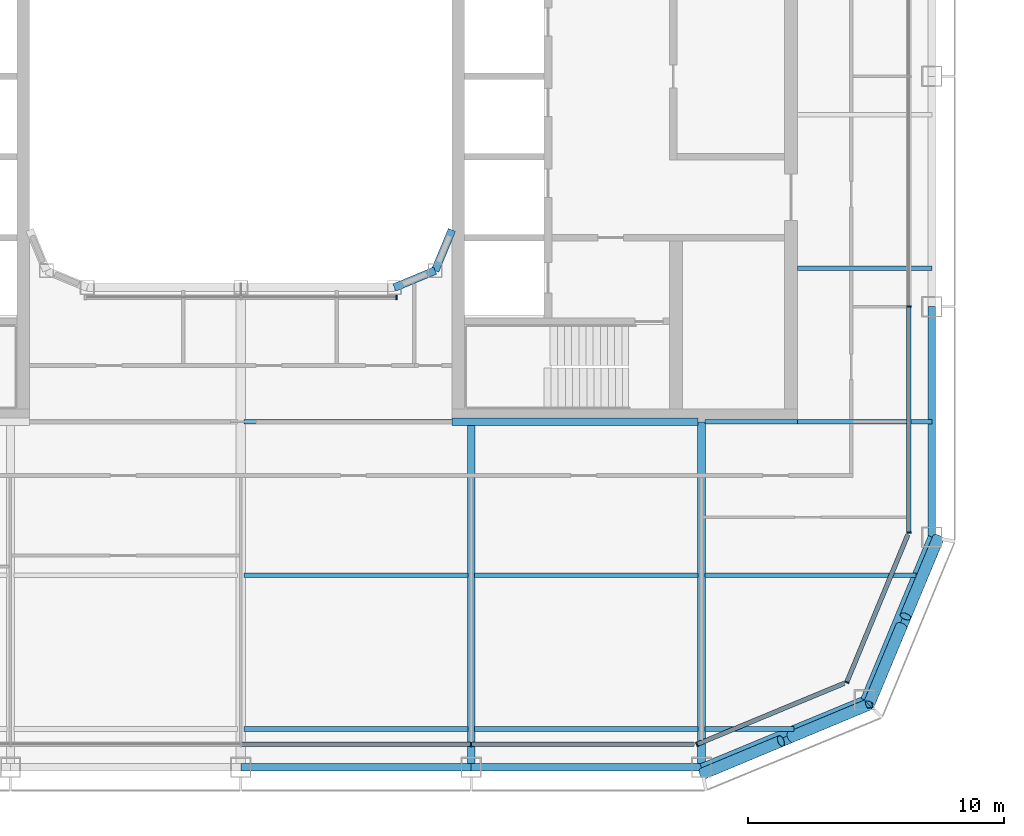
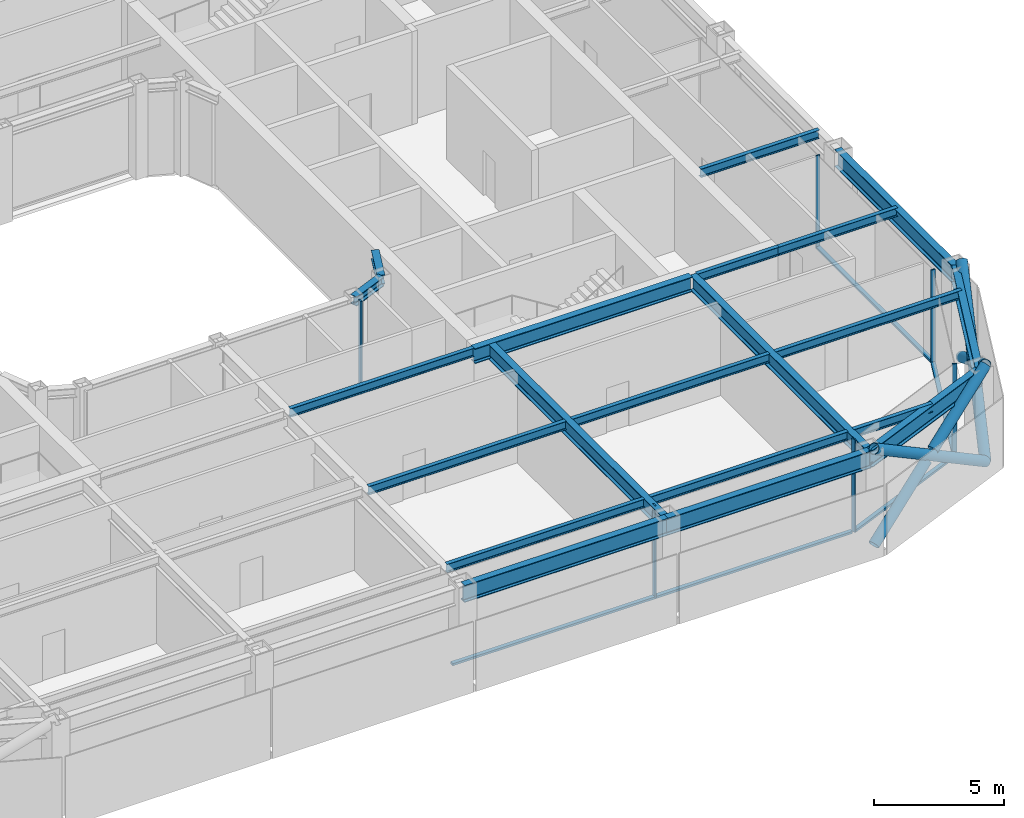
# One storey, part 4 of 23: 20 beams, 17 members, 5 elements without a shape of their own.
"""IFC4 building model written with IfcOpenShell, lengths in metres."""

from ifc_helpers import new_model, si_unit, direction, frame, origin, origin_2d, place, context, subcontext, project, spatial, rectangle, hollow_circle, i_section, extrude, material, layer, layer_set, material_profile, profile_set, type_object, element, aggregate, save


model = new_model("IFC4")

# Units and contexts
model_context = context("Model", 3, precision=1e-05, world=origin(), true_north=direction((0.0, 1.0)))
body_context = subcontext(model_context, "Body", "Model", "MODEL_VIEW")
ifc_project = project(units=[si_unit("LENGTHUNIT", "METRE"), si_unit("AREAUNIT", "SQUARE_METRE"), si_unit("VOLUMEUNIT", "CUBIC_METRE"), si_unit("PLANEANGLEUNIT", "RADIAN"), si_unit("MASSUNIT", "GRAM", prefix="KILO")], contexts=[model_context])

# Site, building, storey
site_placement = place(None, origin())
site = spatial("IfcSite", under=ifc_project, at=site_placement, CompositionType="ELEMENT")
building_placement = place(site_placement, origin())
building = spatial("IfcBuilding", under=site, at=building_placement, Name="Siwar Civic Tower", CompositionType="ELEMENT")
storey_placement = place(building_placement, frame((0.0, 0.0, 242.199951171875)))
storey = spatial("IfcBuildingStorey", under=building, at=storey_placement, Name="L52", CompositionType="ELEMENT", Elevation=242.199951171875)

# Curtain wall, member
ifc_material_1 = material(Name="Aluminium and glass", Category="aluminium")
ifc_layer_1 = layer(ifc_material_1, 0.179931640625)
ifc_layer_set_1 = layer_set([ifc_layer_1], Name="Aluminium and glass")
curtain_wall_type_1 = type_object("IfcCurtainWallType", Name="ENV-CW-C", PredefinedType="NOTDEFINED", material=ifc_layer_set_1)
curtain_wall_1_placement = place(storey_placement, origin())
curtain_wall_1 = element("IfcCurtainWall", 1, at=curtain_wall_1_placement, inside=storey, type_object=curtain_wall_type_1, Name="Curtain wall C S", PredefinedType="NOTDEFINED")
ifc_material_2 = material(Name="Aluminium 6063-T6", Category="aluminium")
ifc_material_profile_1 = material_profile(ifc_material_2, rectangle(XDim=0.179931640625, YDim=0.06005859375, at=origin_2d()), Name="AL 180x60")
ifc_profile_set_1 = profile_set([ifc_material_profile_1], Name="Aluminium 6063-T6")
member_type_1 = type_object("IfcMemberType", Name="ENV-MULLION-C", PredefinedType="MULLION", material=ifc_profile_set_1)
member_1_placement = place(storey_placement, frame((9.0, -26.10009765625, 0.0), z_axis=(0.0, 0.0, 1.0), x_axis=(0.0, 1.0, 0.0)))
member_1 = element("IfcMember", 2, at=member_1_placement, type_object=member_type_1, Name="Mullion C S 4", PredefinedType="MULLION", context=body_context, shape_type="SweptSolid", body=[
    extrude(rectangle(XDim=0.179931640625, YDim=0.06005859375, at=origin_2d()), origin(), (0.0, 0.0, 1.0), 4.35009765625),
])

ifc_material_3 = material(Name="Aluminium clad insulated panel", Category="aluminium")
ifc_layer_2 = layer(ifc_material_3, 0.179931640625)
ifc_layer_set_2 = layer_set([ifc_layer_2], Name="Aluminium clad insulated panel")
curtain_wall_type_2 = type_object("IfcCurtainWallType", Name="ENV-CW-CX", PredefinedType="NOTDEFINED", material=ifc_layer_set_2)
curtain_wall_2_placement = place(storey_placement, origin())
curtain_wall_2 = element("IfcCurtainWall", 3, at=curtain_wall_2_placement, inside=storey, type_object=curtain_wall_type_2, Name="Curtain wall C SE1", PredefinedType="NOTDEFINED")
member_2_placement = place(storey_placement, frame((17.821044921875, -26.10009765625, 0.0), z_axis=(0.0, 0.0, 1.0), x_axis=(-0.382683432365, 0.923879532511, 0.0)))
member_2 = element("IfcMember", 4, at=member_2_placement, type_object=member_type_1, Name="Mullion C SE1 1", PredefinedType="MULLION", context=body_context, shape_type="SweptSolid", body=[
    extrude(rectangle(XDim=0.179931640625, YDim=0.06005859375, at=origin_2d()), origin(), (0.0, 0.0, 1.0), 4.35009765625),
])

curtain_wall_3_placement = place(storey_placement, origin())
curtain_wall_3 = element("IfcCurtainWall", 5, at=curtain_wall_3_placement, inside=storey, type_object=curtain_wall_type_2, Name="Curtain wall C SE2", PredefinedType="NOTDEFINED")
member_3_placement = place(storey_placement, frame((23.675048828125, -23.675048828125, 0.0), z_axis=(0.0, 0.0, 1.0), x_axis=(-0.923879532511, 0.382683432365, 0.0)))
member_3 = element("IfcMember", 6, at=member_3_placement, type_object=member_type_1, Name="Mullion C SE2 1", PredefinedType="MULLION", context=body_context, shape_type="SweptSolid", body=[
    extrude(rectangle(XDim=0.179931640625, YDim=0.06005859375, at=origin_2d()), origin(), (0.0, 0.0, 1.0), 4.35009765625),
])

# Curtain wall, members
curtain_wall_4_placement = place(storey_placement, origin())
curtain_wall_4 = element("IfcCurtainWall", 7, at=curtain_wall_4_placement, inside=storey, type_object=curtain_wall_type_1, Name="Curtain wall C E", PredefinedType="NOTDEFINED")
member_4_placement = place(storey_placement, frame((26.10009765625, -17.821044921875, 0.0), z_axis=(0.0, 0.0, 1.0), x_axis=(-1.0, 0.0, 0.0)))
member_4 = element("IfcMember", 8, at=member_4_placement, type_object=member_type_1, Name="Mullion C E 1", PredefinedType="MULLION", context=body_context, shape_type="SweptSolid", body=[
    extrude(rectangle(XDim=0.179931640625, YDim=0.06005859375, at=origin_2d()), origin(), (0.0, 0.0, 1.0), 4.35009765625),
])
member_5_placement = place(storey_placement, frame((26.10009765625, -9.0, 0.0), z_axis=(0.0, 0.0, 1.0), x_axis=(-1.0, 0.0, 0.0)))
member_5 = element("IfcMember", 9, at=member_5_placement, type_object=member_type_1, Name="Mullion C E 2", PredefinedType="MULLION", context=body_context, shape_type="SweptSolid", body=[
    extrude(rectangle(XDim=0.179931640625, YDim=0.06005859375, at=origin_2d()), origin(), (0.0, 0.0, 1.0), 4.35009765625),
])

# Curtain wall, member
ifc_material_4 = material(Name="Aluminium and glass", Category="aluminium")
ifc_layer_3 = layer(ifc_material_4, 0.179931640625)
ifc_layer_set_3 = layer_set([ifc_layer_3], Name="Aluminium and glass")
curtain_wall_type_3 = type_object("IfcCurtainWallType", Name="ENV-CW-W", PredefinedType="NOTDEFINED", material=ifc_layer_set_3)
curtain_wall_5_placement = place(storey_placement, origin())
curtain_wall_5 = element("IfcCurtainWall", 10, at=curtain_wall_5_placement, inside=storey, type_object=curtain_wall_type_3, Name="Curtain wall W WS", PredefinedType="NOTDEFINED")
ifc_material_5 = material(Name="Aluminium 6063-T6", Category="aluminium")
ifc_material_profile_2 = material_profile(ifc_material_5, rectangle(XDim=0.179931640625, YDim=0.06005859375, at=origin_2d()), Name="AL 180x60")
ifc_profile_set_2 = profile_set([ifc_material_profile_2], Name="Aluminium 6063-T6")
member_type_2 = type_object("IfcMemberType", Name="ENV-MULLION-W", PredefinedType="MULLION", material=ifc_profile_set_2)
member_6_placement = place(storey_placement, frame((6.07666015625, -8.635009765625, 0.0), z_axis=(0.0, 0.0, 1.0), x_axis=(0.0, 1.0, 0.0)))
member_6 = element("IfcMember", 11, at=member_6_placement, type_object=member_type_2, Name="Mullion W WS 3", PredefinedType="MULLION", context=body_context, shape_type="SweptSolid", body=[
    extrude(rectangle(XDim=0.179931640625, YDim=0.06005859375, at=origin_2d()), origin(), (0.0, 0.0, 1.0), 4.35009765625),
])
aggregate(curtain_wall_5, [member_6])

# Member
ifc_material_6 = material(Name="Aluminium 6063-T6", Category="aluminium")
ifc_material_profile_3 = material_profile(ifc_material_6, rectangle(XDim=0.179931640625, YDim=0.10009765625, at=origin_2d()), Name="AL 180x100")
ifc_profile_set_3 = profile_set([ifc_material_profile_3], Name="Aluminium 6063-T6")
member_type_3 = type_object("IfcMemberType", Name="ENV-TRANSOM-C", PredefinedType="USERDEFINED", material=ifc_profile_set_3)
member_7_placement = place(storey_placement, frame((0.030029296875, -26.10009765625, 0.050048828125), z_axis=(1.0, 0.0, 0.0), x_axis=(0.0, 1.0, 0.0)))
member_7 = element("IfcMember", 12, at=member_7_placement, type_object=member_type_3, Name="Transom C S 3", ObjectType="TRANSOM", PredefinedType="USERDEFINED", context=body_context, shape_type="SweptSolid", body=[
    extrude(rectangle(XDim=0.179931640625, YDim=0.10009765625, at=origin_2d()), origin(), (0.0, 0.0, 1.0), 8.93994140625),
])

member_8_placement = place(storey_placement, frame((9.030029296875, -26.10009765625, 0.050048828125), z_axis=(1.0, 0.0, 0.0), x_axis=(0.0, 1.0, 0.0)))
member_8 = element("IfcMember", 13, at=member_8_placement, type_object=member_type_3, Name="Transom C S 4", ObjectType="TRANSOM", PredefinedType="USERDEFINED", context=body_context, shape_type="SweptSolid", body=[
    extrude(rectangle(XDim=0.179931640625, YDim=0.10009765625, at=origin_2d()), origin(), (0.0, 0.0, 1.0), 8.68603515625),
])

aggregate(curtain_wall_1, [member_1, member_7, member_8])

member_9_placement = place(storey_placement, frame((17.8486328125, -26.088623046875, 0.050048828125), z_axis=(0.923882011223, 0.38267744817, 0.0), x_axis=(-0.38267744817, 0.923882011223, 0.0)))
member_9 = element("IfcMember", 14, at=member_9_placement, type_object=member_type_3, Name="Transom C SE1 1", ObjectType="TRANSOM", PredefinedType="USERDEFINED", context=body_context, shape_type="SweptSolid", body=[
    extrude(rectangle(XDim=0.179931640625, YDim=0.10009765625, at=origin_2d()), origin(), (0.0, 0.0, 1.0), 6.201904296875),
])

aggregate(curtain_wall_2, [member_2, member_9])

member_10_placement = place(storey_placement, frame((23.6865234375, -23.6474609375, 0.050048828125), z_axis=(0.382691366456, 0.923876246063, 0.0), x_axis=(-0.923876246063, 0.382691366456, 0.0)))
member_10 = element("IfcMember", 15, at=member_10_placement, type_object=member_type_3, Name="Transom C SE2 1", ObjectType="TRANSOM", PredefinedType="USERDEFINED", context=body_context, shape_type="SweptSolid", body=[
    extrude(rectangle(XDim=0.179931640625, YDim=0.10009765625, at=origin_2d()), origin(), (0.0, 0.0, 1.0), 6.20166015625),
])

aggregate(curtain_wall_3, [member_3, member_10])

member_11_placement = place(storey_placement, frame((26.10009765625, -17.791015625, 0.050048828125), z_axis=(0.0, 1.0, 0.0), x_axis=(-1.0, 0.0, 0.0)))
member_11 = element("IfcMember", 16, at=member_11_placement, type_object=member_type_3, Name="Transom C E 1", ObjectType="TRANSOM", PredefinedType="USERDEFINED", context=body_context, shape_type="SweptSolid", body=[
    extrude(rectangle(XDim=0.179931640625, YDim=0.10009765625, at=origin_2d()), origin(), (0.0, 0.0, 1.0), 8.760986328125),
])

aggregate(curtain_wall_4, [member_4, member_5, member_11])

# Members
ifc_material_7 = material(Name="Steel S355", Category="steel")
ifc_material_profile_4 = material_profile(ifc_material_7, hollow_circle(Radius=0.228515625, WallThickness=0.02001953125, at=origin_2d()), Name="CHS457x20")
ifc_profile_set_4 = profile_set([ifc_material_profile_4], Name="Steel S355")
member_type_4 = type_object("IfcMemberType", Name="STR-BR-CHS457x20", PredefinedType="BRACE", material=ifc_profile_set_4)
member_12_placement = place(storey_placement, frame((24.540771484375, -24.540771484375, 0.0), z_axis=(0.323905527954, 0.777554562952, 0.538975055633), x_axis=(-0.923108759191, 0.384538969033, 0.0)))
element("IfcMember", 17, at=member_12_placement, inside=storey, type_object=member_type_4, Name="L52/brc/CSE1-12-0-1", PredefinedType="BRACE", context=body_context, shape_type="SweptSolid", body=[
    extrude(hollow_circle(Radius=0.228515625, WallThickness=0.02001953125, at=origin_2d()), origin(), (0.0, 0.0, 1.0), 8.34912109375),
])
for number, where, z_axis, x_axis, name in (
    (18, (27.2451171875, -18.048828125, 0.0), (-0.323884455881, -0.777546448489, 0.538999424564), (0.92311621485, -0.38452107079, 0.0), "L52/brc/CSE1-12-0-2"),
    (19, (25.81298828125, -21.486572265625, 2.383056640625), (-0.323895306243, -0.777572496853, 0.538955325357), (0.92311621485, -0.38452107079, 0.0), "L52/brc/CSE1-12-0-3"),
):
    element("IfcMember", number, at=place(storey_placement, frame(where, z_axis=z_axis, x_axis=x_axis)), inside=storey, type_object=member_type_4, Name=name, PredefinedType="BRACE", context=body_context, shape_type="SweptSolid", body=[
        extrude(hollow_circle(Radius=0.228515625, WallThickness=0.02001953125, at=origin_2d()), origin(), (0.0, 0.0, 1.0), 3.927978515625),
    ])
member_13_placement = place(storey_placement, frame((24.540771484375, -24.540771484375, 0.0), z_axis=(-0.777554562952, -0.323905527954, 0.538975055633), x_axis=(0.384538969033, -0.923108759191, 0.0)))
element("IfcMember", 20, at=member_13_placement, inside=storey, type_object=member_type_4, Name="L52/brc/CSE1-12-0-0", PredefinedType="BRACE", context=body_context, shape_type="SweptSolid", body=[
    extrude(hollow_circle(Radius=0.228515625, WallThickness=0.02001953125, at=origin_2d()), origin(), (0.0, 0.0, 1.0), 8.34912109375),
])
for number, where, z_axis, x_axis, name in (
    (21, (18.048828125, -27.2451171875, 0.0), (0.777546448489, 0.323884455881, 0.538999424564), (-0.38452107079, 0.92311621485, 0.0), "L52/brc/CSE1-12-0-4"),
    (22, (21.486572265625, -25.81298828125, 2.383056640625), (0.777572496853, 0.323895306243, 0.538955325357), (-0.38452107079, 0.92311621485, 0.0), "L52/brc/CSE1-12-0-5"),
):
    element("IfcMember", number, at=place(storey_placement, frame(where, z_axis=z_axis, x_axis=x_axis)), inside=storey, type_object=member_type_4, Name=name, PredefinedType="BRACE", context=body_context, shape_type="SweptSolid", body=[
        extrude(hollow_circle(Radius=0.228515625, WallThickness=0.02001953125, at=origin_2d()), origin(), (0.0, 0.0, 1.0), 3.927978515625),
    ])

# Beams
ifc_material_8 = material(Name="Steel S355", Category="steel")
ifc_material_profile_5 = material_profile(ifc_material_8, i_section(OverallWidth=0.179931640625, OverallDepth=0.39990234375, WebThickness=0.008544921875, FlangeThickness=0.013427734375, FilletRadius=0.02099609375, at=origin_2d()), Name="IPE400")
ifc_profile_set_5 = profile_set([ifc_material_profile_5], Name="Steel S355")
beam_type_1 = type_object("IfcBeamType", Name="STR-FB-IPE400", PredefinedType="JOIST", material=ifc_profile_set_5)
for number, where, z_axis, x_axis, name in (
    (23, (0.1298828125, -25.5, 4.150146484375), (1.0, 0.0, 0.0), (0.0, 1.0, 0.0), "L52/bm/F004"),
    (24, (9.1298828125, -25.5, 4.150146484375), (1.0, 0.0, 0.0), (0.0, 1.0, 0.0), "L52/bm/F005"),
):
    element("IfcBeam", number, at=place(storey_placement, frame(where, z_axis=z_axis, x_axis=x_axis)), inside=storey, type_object=beam_type_1, Name=name, PredefinedType="JOIST", context=body_context, shape_type="SweptSolid", body=[
        extrude(i_section(OverallWidth=0.179931640625, OverallDepth=0.39990234375, WebThickness=0.008544921875, FlangeThickness=0.013427734375, FilletRadius=0.02099609375, at=origin_2d()), origin(), (0.0, 0.0, 1.0), 8.740234375),
    ])
beam_1_placement = place(storey_placement, frame((18.1298828125, -25.5, 4.150146484375), z_axis=(1.0, 0.0, 0.0), x_axis=(0.0, 1.0, 0.0)))
element("IfcBeam", 25, at=beam_1_placement, inside=storey, type_object=beam_type_1, Name="L52/bm/F006", PredefinedType="JOIST", context=body_context, shape_type="SweptSolid", body=[
    extrude(i_section(OverallWidth=0.179931640625, OverallDepth=0.39990234375, WebThickness=0.008544921875, FlangeThickness=0.013427734375, FilletRadius=0.02099609375, at=origin_2d()), origin(), (0.0, 0.0, 1.0), 3.491455078125),
])
for number, where, z_axis, x_axis, name in (
    (26, (0.1298828125, -19.5, 4.150146484375), (1.0, 0.0, 0.0), (0.0, 1.0, 0.0), "L52/bm/F010"),
    (27, (9.1298828125, -19.5, 4.150146484375), (1.0, 0.0, 0.0), (0.0, 1.0, 0.0), "L52/bm/F011"),
):
    element("IfcBeam", number, at=place(storey_placement, frame(where, z_axis=z_axis, x_axis=x_axis)), inside=storey, type_object=beam_type_1, Name=name, PredefinedType="JOIST", context=body_context, shape_type="SweptSolid", body=[
        extrude(i_section(OverallWidth=0.179931640625, OverallDepth=0.39990234375, WebThickness=0.008544921875, FlangeThickness=0.013427734375, FilletRadius=0.02099609375, at=origin_2d()), origin(), (0.0, 0.0, 1.0), 8.740234375),
    ])
beam_2_placement = place(storey_placement, frame((18.1298828125, -19.5, 4.150146484375), z_axis=(1.0, 0.0, 0.0), x_axis=(0.0, 1.0, 0.0)))
element("IfcBeam", 28, at=beam_2_placement, inside=storey, type_object=beam_type_1, Name="L52/bm/F012", PredefinedType="JOIST", context=body_context, shape_type="SweptSolid", body=[
    extrude(i_section(OverallWidth=0.179931640625, OverallDepth=0.39990234375, WebThickness=0.008544921875, FlangeThickness=0.013427734375, FilletRadius=0.02099609375, at=origin_2d()), origin(), (0.0, 0.0, 1.0), 8.248779296875),
])
beam_3_placement = place(storey_placement, frame((0.1298828125, -13.5, 4.150146484375), z_axis=(1.0, 0.0, 0.0), x_axis=(0.0, 1.0, 0.0)))
element("IfcBeam", 29, at=beam_3_placement, inside=storey, type_object=beam_type_1, Name="L52/bm/F017", PredefinedType="JOIST", context=body_context, shape_type="SweptSolid", body=[
    extrude(i_section(OverallWidth=0.179931640625, OverallDepth=0.39990234375, WebThickness=0.008544921875, FlangeThickness=0.013427734375, FilletRadius=0.02099609375, at=origin_2d()), origin(), (0.0, 0.0, 1.0), 8.1201171875),
])
beam_4_placement = place(storey_placement, frame((18.1298828125, -13.5, 4.150146484375), z_axis=(1.0, 0.0, 0.0), x_axis=(0.0, 1.0, 0.0)))
element("IfcBeam", 30, at=beam_4_placement, inside=storey, type_object=beam_type_1, Name="L52/bm/F019", PredefinedType="JOIST", context=body_context, shape_type="SweptSolid", body=[
    extrude(i_section(OverallWidth=0.179931640625, OverallDepth=0.39990234375, WebThickness=0.008544921875, FlangeThickness=0.013427734375, FilletRadius=0.02099609375, at=origin_2d()), origin(), (0.0, 0.0, 1.0), 3.6201171875),
])
for number, where, z_axis, x_axis, name in (
    (31, (21.75, -13.5, 4.150146484375), (1.0, 0.0, 0.0), (0.0, 1.0, 0.0), "L52/bm/F020"),
    (32, (21.75, -7.5, 4.150146484375), (1.0, 0.0, 0.0), (0.0, 1.0, 0.0), "L52/bm/F022"),
):
    element("IfcBeam", number, at=place(storey_placement, frame(where, z_axis=z_axis, x_axis=x_axis)), inside=storey, type_object=beam_type_1, Name=name, PredefinedType="JOIST", context=body_context, shape_type="SweptSolid", body=[
        extrude(i_section(OverallWidth=0.179931640625, OverallDepth=0.39990234375, WebThickness=0.008544921875, FlangeThickness=0.013427734375, FilletRadius=0.02099609375, at=origin_2d()), origin(), (0.0, 0.0, 1.0), 5.25),
    ])
ifc_material_9 = material(Name="Steel S355", Category="steel")
ifc_material_profile_6 = material_profile(ifc_material_9, i_section(OverallWidth=0.300048828125, OverallDepth=0.699951171875, WebThickness=0.01708984375, FlangeThickness=0.031982421875, FilletRadius=0.027099609375, at=origin_2d()), Name="HEB700")
ifc_profile_set_6 = profile_set([ifc_material_profile_6], Name="Steel S355")
beam_type_2 = type_object("IfcBeamType", Name="STR-PG-HEB700", PredefinedType="BEAM", material=ifc_profile_set_6)
for number, where, z_axis, x_axis, name in (
    (33, (9.0, -27.0, 4.0), (0.0, 1.0, 0.0), (-1.0, 0.0, 0.0), "L52/bm/G07"),
    (34, (18.0, -27.0, 4.0), (0.0, 1.0, 0.0), (-1.0, 0.0, 0.0), "L52/bm/G09"),
):
    element("IfcBeam", number, at=place(storey_placement, frame(where, z_axis=z_axis, x_axis=x_axis)), inside=storey, type_object=beam_type_2, Name=name, PredefinedType="BEAM", context=body_context, shape_type="SweptSolid", body=[
        extrude(i_section(OverallWidth=0.300048828125, OverallDepth=0.699951171875, WebThickness=0.01708984375, FlangeThickness=0.031982421875, FilletRadius=0.027099609375, at=origin_2d()), origin(), (0.0, 0.0, 1.0), 13.5),
    ])
beam_5_placement = place(storey_placement, frame((8.25, -13.5, 4.0), z_axis=(1.0, 0.0, 0.0), x_axis=(0.0, 1.0, 0.0)))
element("IfcBeam", 35, at=beam_5_placement, inside=storey, type_object=beam_type_2, Name="L52/bm/F018", PredefinedType="BEAM", context=body_context, shape_type="SweptSolid", body=[
    extrude(i_section(OverallWidth=0.300048828125, OverallDepth=0.699951171875, WebThickness=0.01708984375, FlangeThickness=0.031982421875, FilletRadius=0.027099609375, at=origin_2d()), origin(), (0.0, 0.0, 1.0), 9.6201171875),
])
ifc_material_10 = material(Name="Steel S355", Category="steel")
ifc_material_profile_7 = material_profile(ifc_material_10, i_section(OverallWidth=0.306884765625, OverallDepth=0.431884765625, WebThickness=0.02099609375, FlangeThickness=0.0400390625, FilletRadius=0.027099609375, at=origin_2d()), Name="HEM400")
ifc_profile_set_7 = profile_set([ifc_material_profile_7], Name="Steel S355")
beam_type_3 = type_object("IfcBeamType", Name="STR-RB-HEM400", PredefinedType="BEAM", material=ifc_profile_set_7)
for number, where, z_axis, x_axis, name in (
    (36, (6.0, -8.25, 4.134033203125), (0.923901072997, 0.382631424892, 0.0), (-0.382631424892, 0.923901072997, 0.0), "L52/bm/RS3"),
    (37, (7.591064453125, -7.591064453125, 4.134033203125), (0.382631424892, 0.923901072997, 0.0), (-0.923901072997, 0.382631424892, 0.0), "L52/bm/RSEE"),
):
    element("IfcBeam", number, at=place(storey_placement, frame(where, z_axis=z_axis, x_axis=x_axis)), inside=storey, type_object=beam_type_3, Name=name, PredefinedType="BEAM", context=body_context, shape_type="SweptSolid", body=[
        extrude(i_section(OverallWidth=0.306884765625, OverallDepth=0.431884765625, WebThickness=0.02099609375, FlangeThickness=0.0400390625, FilletRadius=0.027099609375, at=origin_2d()), origin(), (0.0, 0.0, 1.0), 1.72216796875),
    ])
ifc_material_11 = material(Name="Steel S355", Category="steel")
ifc_material_profile_8 = material_profile(ifc_material_11, i_section(OverallWidth=0.300048828125, OverallDepth=0.800048828125, WebThickness=0.017578125, FlangeThickness=0.032958984375, FilletRadius=0.030029296875, at=origin_2d()), Name="HEB800")
ifc_profile_set_8 = profile_set([ifc_material_profile_8], Name="Steel S355")
beam_type_4 = type_object("IfcBeamType", Name="STR-SB-HEB800", PredefinedType="BEAM", material=ifc_profile_set_8)
for number, where, z_axis, x_axis, name in (
    (38, (0.0, -27.0, 3.949951171875), (1.0, 0.0, 0.0), (0.0, 1.0, 0.0), "L52/bm/SS-2"),
    (39, (9.0, -27.0, 3.949951171875), (1.0, 0.0, 0.0), (0.0, 1.0, 0.0), "L52/bm/SS-3"),
):
    element("IfcBeam", number, at=place(storey_placement, frame(where, z_axis=z_axis, x_axis=x_axis)), inside=storey, type_object=beam_type_4, Name=name, PredefinedType="BEAM", context=body_context, shape_type="SweptSolid", body=[
        extrude(i_section(OverallWidth=0.300048828125, OverallDepth=0.800048828125, WebThickness=0.017578125, FlangeThickness=0.032958984375, FilletRadius=0.030029296875, at=origin_2d()), origin(), (0.0, 0.0, 1.0), 9.0),
    ])
for number, where, z_axis, x_axis, name in (
    (40, (18.0, -27.0, 3.949951171875), (0.923883353507, 0.382674207535, 0.0), (-0.382674207535, 0.923883353507, 0.0), "L52/bm/SSE1-0"),
    (41, (24.364013671875, -24.364013671875, 3.949951171875), (0.382674207535, 0.923883353507, 0.0), (-0.923883353507, 0.382674207535, 0.0), "L52/bm/SSE2-0"),
):
    element("IfcBeam", number, at=place(storey_placement, frame(where, z_axis=z_axis, x_axis=x_axis)), inside=storey, type_object=beam_type_4, Name=name, PredefinedType="BEAM", context=body_context, shape_type="SweptSolid", body=[
        extrude(i_section(OverallWidth=0.300048828125, OverallDepth=0.800048828125, WebThickness=0.017578125, FlangeThickness=0.032958984375, FilletRadius=0.030029296875, at=origin_2d()), origin(), (0.0, 0.0, 1.0), 6.888427734375),
    ])
beam_6_placement = place(storey_placement, frame((27.0, -18.0, 3.949951171875), z_axis=(0.0, 1.0, 0.0), x_axis=(-1.0, 0.0, 0.0)))
element("IfcBeam", 42, at=beam_6_placement, inside=storey, type_object=beam_type_4, Name="L52/bm/SE-0", PredefinedType="BEAM", context=body_context, shape_type="SweptSolid", body=[
    extrude(i_section(OverallWidth=0.300048828125, OverallDepth=0.800048828125, WebThickness=0.017578125, FlangeThickness=0.032958984375, FilletRadius=0.030029296875, at=origin_2d()), origin(), (0.0, 0.0, 1.0), 9.0),
])

save(model, "model.ifc")
